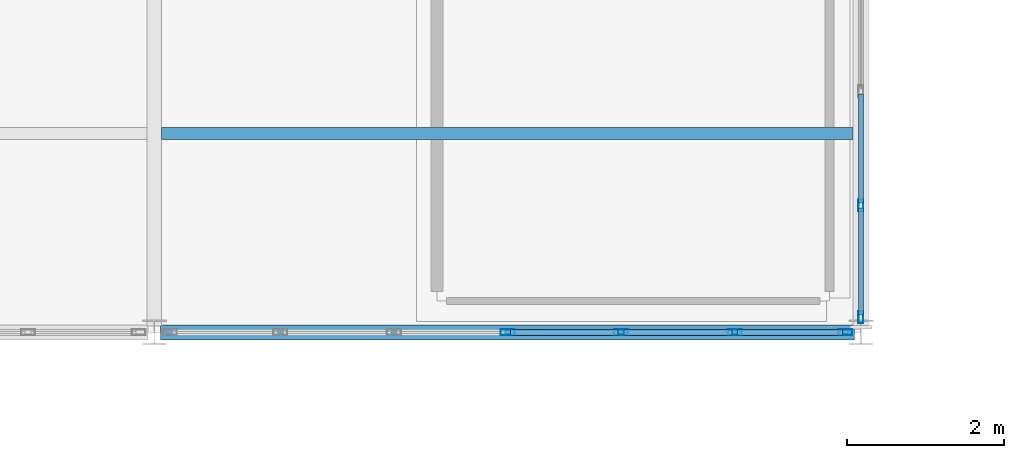
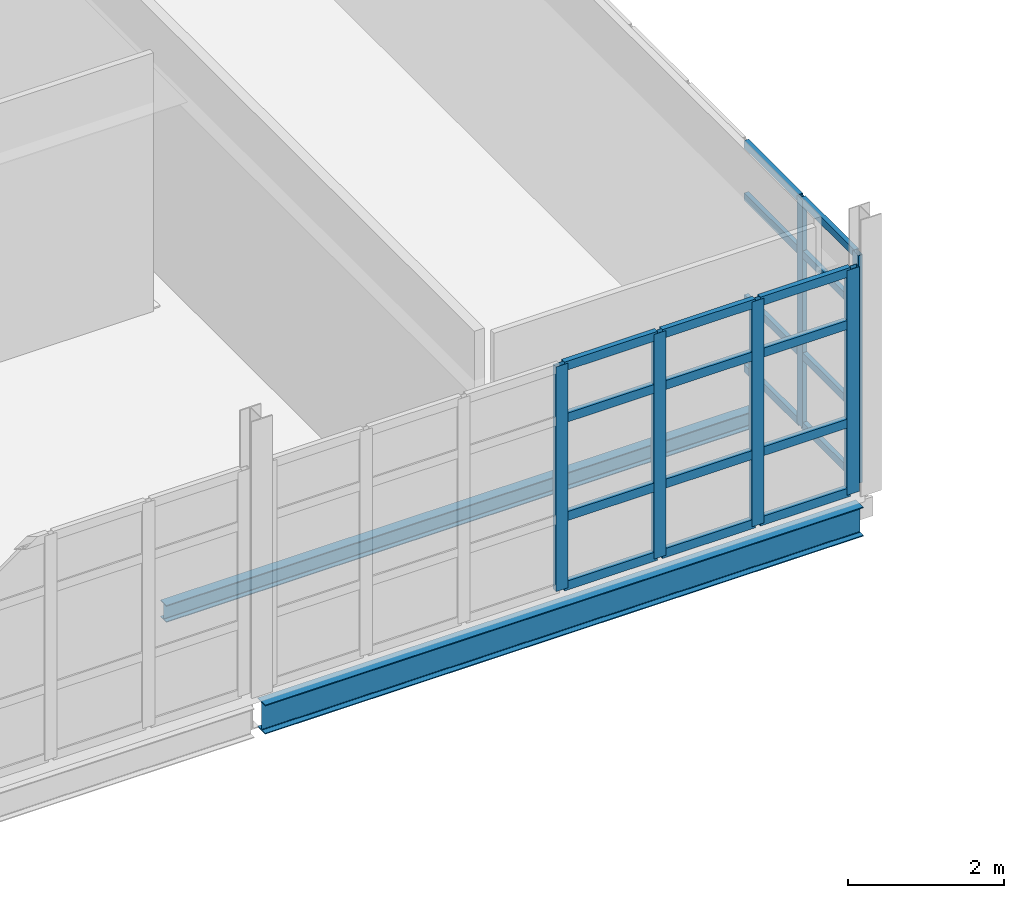
# One storey, part 111 of 166: 26 members, 2 beams, 2 elements without a shape of their own.
"""IFC4 building model written with IfcOpenShell, lengths in metres."""

from ifc_helpers import new_model, si_unit, direction, frame, origin, origin_2d, place, context, subcontext, project, spatial, hollow_rectangle, i_section, extrude, material, material_profile, profile_set, type_object, element, aggregate, save


model = new_model("IFC4")

# Units and contexts
model_context = context("Model", 3, precision=1e-05, world=origin(), true_north=direction((0.0, 1.0)))
body_context = subcontext(model_context, "Body", "Model", "MODEL_VIEW")
ifc_project = project(units=[si_unit("LENGTHUNIT", "METRE"), si_unit("AREAUNIT", "SQUARE_METRE"), si_unit("VOLUMEUNIT", "CUBIC_METRE"), si_unit("PLANEANGLEUNIT", "RADIAN"), si_unit("MASSUNIT", "GRAM", prefix="KILO")], contexts=[model_context])

# Site, building, storey
site_placement = place(None, origin())
site = spatial("IfcSite", under=ifc_project, at=site_placement, CompositionType="ELEMENT")
building_placement = place(site_placement, origin())
building = spatial("IfcBuilding", under=site, at=building_placement, Name="Caisbarro Railhouse Central Library", CompositionType="ELEMENT")
storey_placement = place(building_placement, frame((0.0, 0.0, 9.360107421875)))
storey = spatial("IfcBuildingStorey", under=building, at=storey_placement, Name="L02", CompositionType="ELEMENT", Elevation=9.360107421875)

# Beams
ifc_material_1 = material(Name="Steel ASTM A572 Grade 50", Category="steel")
ifc_material_profile_1 = material_profile(ifc_material_1, i_section(OverallWidth=0.14794921875, OverallDepth=0.26611328125, WebThickness=0.007568359375, FlangeThickness=0.012939453125, FilletRadius=0.010009765625, at=origin_2d()), Name="W250X44.8")
ifc_profile_set_1 = profile_set([ifc_material_profile_1], Name="Steel ASTM A572 Grade 50")
beam_type_1 = type_object("IfcBeamType", Name="BM-J04", PredefinedType="JOIST", material=ifc_profile_set_1)
beam_1_placement = place(storey_placement, frame((144.094970703125, 63.333251953125, -0.35302734375), z_axis=(1.0, 0.0, 0.0), x_axis=(0.0, 1.0, 0.0)))
element("IfcBeam", 1, at=beam_1_placement, inside=storey, type_object=beam_type_1, Name="J04 beam L02 #1569", PredefinedType="JOIST", context=body_context, shape_type="SweptSolid", body=[
    extrude(i_section(OverallWidth=0.14794921875, OverallDepth=0.26611328125, WebThickness=0.007568359375, FlangeThickness=0.012939453125, FilletRadius=0.010009765625, at=origin_2d()), origin(), (0.0, 0.0, 1.0), 8.804931640625),
])
ifc_material_profile_2 = material_profile(ifc_material_1, i_section(OverallWidth=0.18994140625, OverallDepth=0.45703125, WebThickness=0.009033203125, FlangeThickness=0.014404296875, FilletRadius=0.01806640625, at=origin_2d()), Name="W460X74.0")
ifc_profile_set_2 = profile_set([ifc_material_profile_2], Name="Steel ASTM A572 Grade 50")
beam_type_2 = type_object("IfcBeamType", Name="BM-SP01", PredefinedType="SPANDREL", material=ifc_profile_set_2)
beam_2_placement = place(storey_placement, frame((144.080078125, 60.800048828125, -0.448486328125), z_axis=(1.0, 0.0, 0.0), x_axis=(0.0, 1.0, 0.0)))
element("IfcBeam", 2, at=beam_2_placement, inside=storey, type_object=beam_type_2, Name="SP01 beam L02 #1479", PredefinedType="SPANDREL", context=body_context, shape_type="SweptSolid", body=[
    extrude(i_section(OverallWidth=0.18994140625, OverallDepth=0.45703125, WebThickness=0.009033203125, FlangeThickness=0.014404296875, FilletRadius=0.01806640625, at=origin_2d()), origin(), (0.0, 0.0, 1.0), 8.83984375),
])

# Curtain wall, members
ifc_material_2 = material(Name="Anodised architectural aluminium", Category="aluminium")
curtain_wall_type_1 = type_object("IfcCurtainWallType", Name="CW-CW02", PredefinedType="NOTDEFINED", material=ifc_material_2)
curtain_wall_1_placement = place(storey_placement, origin())
curtain_wall_1 = element("IfcCurtainWall", 3, at=curtain_wall_1_placement, inside=storey, type_object=curtain_wall_type_1, Name="CW02 curtain wall L02 #136", PredefinedType="NOTDEFINED")
ifc_material_profile_3 = material_profile(ifc_material_2, hollow_rectangle(XDim=0.074951171875, YDim=0.179931640625, WallThickness=0.00439453125, at=origin_2d()), Name="ALU-MUL-75X180")
ifc_profile_set_3 = profile_set([ifc_material_profile_3], Name="Anodised architectural aluminium")
member_type_1 = type_object("IfcMemberType", Name="CWM-M01", PredefinedType="MULLION", material=ifc_profile_set_3)
member_1_placement = place(storey_placement, frame((148.5, 60.800048828125, 0.0), z_axis=(0.0, 0.0, 1.0), x_axis=(0.0, 1.0, 0.0)))
member_1 = element("IfcMember", 4, at=member_1_placement, type_object=member_type_1, Name="CW02 mullion 4", PredefinedType="MULLION", context=body_context, shape_type="SweptSolid", body=[
    extrude(hollow_rectangle(XDim=0.074951171875, YDim=0.179931640625, WallThickness=0.00439453125, at=origin_2d()), origin(), (0.0, 0.0, 1.0), 3.510009765625),
])
member_2_placement = place(storey_placement, frame((149.94677734375, 60.800048828125, 0.0), z_axis=(0.0, 0.0, 1.0), x_axis=(0.0, 1.0, 0.0)))
member_2 = element("IfcMember", 5, at=member_2_placement, type_object=member_type_1, Name="CW02 mullion 5", PredefinedType="MULLION", context=body_context, shape_type="SweptSolid", body=[
    extrude(hollow_rectangle(XDim=0.074951171875, YDim=0.179931640625, WallThickness=0.00439453125, at=origin_2d()), origin(), (0.0, 0.0, 1.0), 3.510009765625),
])
member_3_placement = place(storey_placement, frame((151.393310546875, 60.800048828125, 0.0), z_axis=(0.0, 0.0, 1.0), x_axis=(0.0, 1.0, 0.0)))
member_3 = element("IfcMember", 6, at=member_3_placement, type_object=member_type_1, Name="CW02 mullion 6", PredefinedType="MULLION", context=body_context, shape_type="SweptSolid", body=[
    extrude(hollow_rectangle(XDim=0.074951171875, YDim=0.179931640625, WallThickness=0.00439453125, at=origin_2d()), origin(), (0.0, 0.0, 1.0), 3.510009765625),
])
member_4_placement = place(storey_placement, frame((152.802490234375, 60.800048828125, 0.0), z_axis=(0.0, 0.0, 1.0), x_axis=(0.0, 1.0, 0.0)))
member_4 = element("IfcMember", 7, at=member_4_placement, type_object=member_type_1, Name="CW02 mullion 7", PredefinedType="MULLION", context=body_context, shape_type="SweptSolid", body=[
    extrude(hollow_rectangle(XDim=0.074951171875, YDim=0.179931640625, WallThickness=0.00439453125, at=origin_2d()), origin(), (0.0, 0.0, 1.0), 3.510009765625),
])

curtain_wall_type_2 = type_object("IfcCurtainWallType", Name="CW-CW03", PredefinedType="NOTDEFINED", material=ifc_material_2)
curtain_wall_2_placement = place(storey_placement, origin())
curtain_wall_2 = element("IfcCurtainWall", 8, at=curtain_wall_2_placement, inside=storey, type_object=curtain_wall_type_2, Name="CW03 curtain wall L02 #137", PredefinedType="NOTDEFINED")
ifc_material_profile_4 = material_profile(ifc_material_2, hollow_rectangle(XDim=0.06494140625, YDim=0.14990234375, WallThickness=0.00390625, at=origin_2d()), Name="ALU-MUL-65X150")
ifc_profile_set_4 = profile_set([ifc_material_profile_4], Name="Anodised architectural aluminium")
member_type_2 = type_object("IfcMemberType", Name="CWM-M02", PredefinedType="MULLION", material=ifc_profile_set_4)
member_5_placement = place(storey_placement, frame((153.0, 60.992431640625, 0.0), z_axis=(0.0, 0.0, 1.0), x_axis=(-1.0, 0.0, 0.0)))
member_5 = element("IfcMember", 9, at=member_5_placement, type_object=member_type_2, Name="CW03 mullion 1", PredefinedType="MULLION", context=body_context, shape_type="SweptSolid", body=[
    extrude(hollow_rectangle(XDim=0.06494140625, YDim=0.14990234375, WallThickness=0.00390625, at=origin_2d()), origin(), (0.0, 0.0, 1.0), 3.559814453125),
])
member_6_placement = place(storey_placement, frame((153.0, 62.416015625, 0.0), z_axis=(0.0, 0.0, 1.0), x_axis=(-1.0, 0.0, 0.0)))
member_6 = element("IfcMember", 10, at=member_6_placement, type_object=member_type_2, Name="CW03 mullion 2", PredefinedType="MULLION", context=body_context, shape_type="SweptSolid", body=[
    extrude(hollow_rectangle(XDim=0.06494140625, YDim=0.14990234375, WallThickness=0.00390625, at=origin_2d()), origin(), (0.0, 0.0, 1.0), 3.559814453125),
])

# Member
ifc_material_profile_5 = material_profile(ifc_material_2, hollow_rectangle(XDim=0.074951171875, YDim=0.139892578125, WallThickness=0.00390625, at=origin_2d()), Name="ALU-TRN-75X140")
ifc_profile_set_5 = profile_set([ifc_material_profile_5], Name="Anodised architectural aluminium")
member_type_3 = type_object("IfcMemberType", Name="CWT-T01", PredefinedType="USERDEFINED", material=ifc_profile_set_5)
member_7_placement = place(storey_placement, frame((148.53759765625, 60.800048828125, 0.037353515625), z_axis=(1.0, 0.0, 0.0), x_axis=(0.0, 1.0, 0.0)))
member_7 = element("IfcMember", 11, at=member_7_placement, type_object=member_type_3, Name="CW02 transom 4.1", ObjectType="TRANSOM", PredefinedType="USERDEFINED", context=body_context, shape_type="SweptSolid", body=[
    extrude(hollow_rectangle(XDim=0.074951171875, YDim=0.139892578125, WallThickness=0.00390625, at=origin_2d()), origin(), (0.0, 0.0, 1.0), 1.37158203125),
])

member_8_placement = place(storey_placement, frame((148.53759765625, 60.800048828125, 1.119873046875), z_axis=(1.0, 0.0, 0.0), x_axis=(0.0, 1.0, 0.0)))
member_8 = element("IfcMember", 12, at=member_8_placement, type_object=member_type_3, Name="CW02 transom 4.2", ObjectType="TRANSOM", PredefinedType="USERDEFINED", context=body_context, shape_type="SweptSolid", body=[
    extrude(hollow_rectangle(XDim=0.074951171875, YDim=0.139892578125, WallThickness=0.00390625, at=origin_2d()), origin(), (0.0, 0.0, 1.0), 1.37158203125),
])

member_9_placement = place(storey_placement, frame((148.53759765625, 60.800048828125, 2.659912109375), z_axis=(1.0, 0.0, 0.0), x_axis=(0.0, 1.0, 0.0)))
member_9 = element("IfcMember", 13, at=member_9_placement, type_object=member_type_3, Name="CW02 transom 4.3", ObjectType="TRANSOM", PredefinedType="USERDEFINED", context=body_context, shape_type="SweptSolid", body=[
    extrude(hollow_rectangle(XDim=0.074951171875, YDim=0.139892578125, WallThickness=0.00390625, at=origin_2d()), origin(), (0.0, 0.0, 1.0), 1.37158203125),
])

member_10_placement = place(storey_placement, frame((148.53759765625, 60.800048828125, 3.472412109375), z_axis=(1.0, 0.0, 0.0), x_axis=(0.0, 1.0, 0.0)))
member_10 = element("IfcMember", 14, at=member_10_placement, type_object=member_type_3, Name="CW02 transom 4.4", ObjectType="TRANSOM", PredefinedType="USERDEFINED", context=body_context, shape_type="SweptSolid", body=[
    extrude(hollow_rectangle(XDim=0.074951171875, YDim=0.139892578125, WallThickness=0.00390625, at=origin_2d()), origin(), (0.0, 0.0, 1.0), 1.37158203125),
])

member_11_placement = place(storey_placement, frame((149.984130859375, 60.800048828125, 0.037353515625), z_axis=(1.0, 0.0, 0.0), x_axis=(0.0, 1.0, 0.0)))
member_11 = element("IfcMember", 15, at=member_11_placement, type_object=member_type_3, Name="CW02 transom 5.1", ObjectType="TRANSOM", PredefinedType="USERDEFINED", context=body_context, shape_type="SweptSolid", body=[
    extrude(hollow_rectangle(XDim=0.074951171875, YDim=0.139892578125, WallThickness=0.00390625, at=origin_2d()), origin(), (0.0, 0.0, 1.0), 1.37158203125),
])

member_12_placement = place(storey_placement, frame((149.984130859375, 60.800048828125, 1.119873046875), z_axis=(1.0, 0.0, 0.0), x_axis=(0.0, 1.0, 0.0)))
member_12 = element("IfcMember", 16, at=member_12_placement, type_object=member_type_3, Name="CW02 transom 5.2", ObjectType="TRANSOM", PredefinedType="USERDEFINED", context=body_context, shape_type="SweptSolid", body=[
    extrude(hollow_rectangle(XDim=0.074951171875, YDim=0.139892578125, WallThickness=0.00390625, at=origin_2d()), origin(), (0.0, 0.0, 1.0), 1.37158203125),
])

member_13_placement = place(storey_placement, frame((149.984130859375, 60.800048828125, 2.659912109375), z_axis=(1.0, 0.0, 0.0), x_axis=(0.0, 1.0, 0.0)))
member_13 = element("IfcMember", 17, at=member_13_placement, type_object=member_type_3, Name="CW02 transom 5.3", ObjectType="TRANSOM", PredefinedType="USERDEFINED", context=body_context, shape_type="SweptSolid", body=[
    extrude(hollow_rectangle(XDim=0.074951171875, YDim=0.139892578125, WallThickness=0.00390625, at=origin_2d()), origin(), (0.0, 0.0, 1.0), 1.37158203125),
])

member_14_placement = place(storey_placement, frame((149.984130859375, 60.800048828125, 3.472412109375), z_axis=(1.0, 0.0, 0.0), x_axis=(0.0, 1.0, 0.0)))
member_14 = element("IfcMember", 18, at=member_14_placement, type_object=member_type_3, Name="CW02 transom 5.4", ObjectType="TRANSOM", PredefinedType="USERDEFINED", context=body_context, shape_type="SweptSolid", body=[
    extrude(hollow_rectangle(XDim=0.074951171875, YDim=0.139892578125, WallThickness=0.00390625, at=origin_2d()), origin(), (0.0, 0.0, 1.0), 1.37158203125),
])

member_15_placement = place(storey_placement, frame((151.430908203125, 60.800048828125, 0.037353515625), z_axis=(1.0, 0.0, 0.0), x_axis=(0.0, 1.0, 0.0)))
member_15 = element("IfcMember", 19, at=member_15_placement, type_object=member_type_3, Name="CW02 transom 6.1", ObjectType="TRANSOM", PredefinedType="USERDEFINED", context=body_context, shape_type="SweptSolid", body=[
    extrude(hollow_rectangle(XDim=0.074951171875, YDim=0.139892578125, WallThickness=0.00390625, at=origin_2d()), origin(), (0.0, 0.0, 1.0), 1.333984375),
])

member_16_placement = place(storey_placement, frame((151.430908203125, 60.800048828125, 1.119873046875), z_axis=(1.0, 0.0, 0.0), x_axis=(0.0, 1.0, 0.0)))
member_16 = element("IfcMember", 20, at=member_16_placement, type_object=member_type_3, Name="CW02 transom 6.2", ObjectType="TRANSOM", PredefinedType="USERDEFINED", context=body_context, shape_type="SweptSolid", body=[
    extrude(hollow_rectangle(XDim=0.074951171875, YDim=0.139892578125, WallThickness=0.00390625, at=origin_2d()), origin(), (0.0, 0.0, 1.0), 1.333984375),
])

member_17_placement = place(storey_placement, frame((151.430908203125, 60.800048828125, 2.659912109375), z_axis=(1.0, 0.0, 0.0), x_axis=(0.0, 1.0, 0.0)))
member_17 = element("IfcMember", 21, at=member_17_placement, type_object=member_type_3, Name="CW02 transom 6.3", ObjectType="TRANSOM", PredefinedType="USERDEFINED", context=body_context, shape_type="SweptSolid", body=[
    extrude(hollow_rectangle(XDim=0.074951171875, YDim=0.139892578125, WallThickness=0.00390625, at=origin_2d()), origin(), (0.0, 0.0, 1.0), 1.333984375),
])

member_18_placement = place(storey_placement, frame((151.430908203125, 60.800048828125, 3.472412109375), z_axis=(1.0, 0.0, 0.0), x_axis=(0.0, 1.0, 0.0)))
member_18 = element("IfcMember", 22, at=member_18_placement, type_object=member_type_3, Name="CW02 transom 6.4", ObjectType="TRANSOM", PredefinedType="USERDEFINED", context=body_context, shape_type="SweptSolid", body=[
    extrude(hollow_rectangle(XDim=0.074951171875, YDim=0.139892578125, WallThickness=0.00390625, at=origin_2d()), origin(), (0.0, 0.0, 1.0), 1.333984375),
])

aggregate(curtain_wall_1, [member_1, member_2, member_3, member_4, member_7, member_8, member_9, member_10, member_11, member_12, member_13, member_14, member_15, member_16, member_17, member_18])

ifc_material_profile_6 = material_profile(ifc_material_2, hollow_rectangle(XDim=0.06494140625, YDim=0.1201171875, WallThickness=0.00341796875, at=origin_2d()), Name="ALU-TRN-65X120")
ifc_profile_set_6 = profile_set([ifc_material_profile_6], Name="Anodised architectural aluminium")
member_type_4 = type_object("IfcMemberType", Name="CWT-T02", PredefinedType="USERDEFINED", material=ifc_profile_set_6)
member_19_placement = place(storey_placement, frame((153.0, 61.02490234375, 0.032470703125), z_axis=(0.0, 1.0, 0.0), x_axis=(-1.0, 0.0, 0.0)))
member_19 = element("IfcMember", 23, at=member_19_placement, type_object=member_type_4, Name="CW03 transom 1.1", ObjectType="TRANSOM", PredefinedType="USERDEFINED", context=body_context, shape_type="SweptSolid", body=[
    extrude(hollow_rectangle(XDim=0.06494140625, YDim=0.1201171875, WallThickness=0.00341796875, at=origin_2d()), origin(), (0.0, 0.0, 1.0), 1.358642578125),
])

member_20_placement = place(storey_placement, frame((153.0, 61.02490234375, 1.119873046875), z_axis=(0.0, 1.0, 0.0), x_axis=(-1.0, 0.0, 0.0)))
member_20 = element("IfcMember", 24, at=member_20_placement, type_object=member_type_4, Name="CW03 transom 1.2", ObjectType="TRANSOM", PredefinedType="USERDEFINED", context=body_context, shape_type="SweptSolid", body=[
    extrude(hollow_rectangle(XDim=0.06494140625, YDim=0.1201171875, WallThickness=0.00341796875, at=origin_2d()), origin(), (0.0, 0.0, 1.0), 1.358642578125),
])

member_21_placement = place(storey_placement, frame((153.0, 61.02490234375, 2.7099609375), z_axis=(0.0, 1.0, 0.0), x_axis=(-1.0, 0.0, 0.0)))
member_21 = element("IfcMember", 25, at=member_21_placement, type_object=member_type_4, Name="CW03 transom 1.3", ObjectType="TRANSOM", PredefinedType="USERDEFINED", context=body_context, shape_type="SweptSolid", body=[
    extrude(hollow_rectangle(XDim=0.06494140625, YDim=0.1201171875, WallThickness=0.00341796875, at=origin_2d()), origin(), (0.0, 0.0, 1.0), 1.358642578125),
])

member_22_placement = place(storey_placement, frame((153.0, 61.02490234375, 3.52734375), z_axis=(0.0, 1.0, 0.0), x_axis=(-1.0, 0.0, 0.0)))
member_22 = element("IfcMember", 26, at=member_22_placement, type_object=member_type_4, Name="CW03 transom 1.4", ObjectType="TRANSOM", PredefinedType="USERDEFINED", context=body_context, shape_type="SweptSolid", body=[
    extrude(hollow_rectangle(XDim=0.06494140625, YDim=0.1201171875, WallThickness=0.00341796875, at=origin_2d()), origin(), (0.0, 0.0, 1.0), 1.358642578125),
])

member_23_placement = place(storey_placement, frame((153.0, 62.448486328125, 0.032470703125), z_axis=(0.0, 1.0, 0.0), x_axis=(-1.0, 0.0, 0.0)))
member_23 = element("IfcMember", 27, at=member_23_placement, type_object=member_type_4, Name="CW03 transom 2.1", ObjectType="TRANSOM", PredefinedType="USERDEFINED", context=body_context, shape_type="SweptSolid", body=[
    extrude(hollow_rectangle(XDim=0.06494140625, YDim=0.1201171875, WallThickness=0.00341796875, at=origin_2d()), origin(), (0.0, 0.0, 1.0), 1.39111328125),
])

member_24_placement = place(storey_placement, frame((153.0, 62.448486328125, 1.119873046875), z_axis=(0.0, 1.0, 0.0), x_axis=(-1.0, 0.0, 0.0)))
member_24 = element("IfcMember", 28, at=member_24_placement, type_object=member_type_4, Name="CW03 transom 2.2", ObjectType="TRANSOM", PredefinedType="USERDEFINED", context=body_context, shape_type="SweptSolid", body=[
    extrude(hollow_rectangle(XDim=0.06494140625, YDim=0.1201171875, WallThickness=0.00341796875, at=origin_2d()), origin(), (0.0, 0.0, 1.0), 1.39111328125),
])

member_25_placement = place(storey_placement, frame((153.0, 62.448486328125, 2.7099609375), z_axis=(0.0, 1.0, 0.0), x_axis=(-1.0, 0.0, 0.0)))
member_25 = element("IfcMember", 29, at=member_25_placement, type_object=member_type_4, Name="CW03 transom 2.3", ObjectType="TRANSOM", PredefinedType="USERDEFINED", context=body_context, shape_type="SweptSolid", body=[
    extrude(hollow_rectangle(XDim=0.06494140625, YDim=0.1201171875, WallThickness=0.00341796875, at=origin_2d()), origin(), (0.0, 0.0, 1.0), 1.39111328125),
])

member_26_placement = place(storey_placement, frame((153.0, 62.448486328125, 3.52734375), z_axis=(0.0, 1.0, 0.0), x_axis=(-1.0, 0.0, 0.0)))
member_26 = element("IfcMember", 30, at=member_26_placement, type_object=member_type_4, Name="CW03 transom 2.4", ObjectType="TRANSOM", PredefinedType="USERDEFINED", context=body_context, shape_type="SweptSolid", body=[
    extrude(hollow_rectangle(XDim=0.06494140625, YDim=0.1201171875, WallThickness=0.00341796875, at=origin_2d()), origin(), (0.0, 0.0, 1.0), 1.39111328125),
])

aggregate(curtain_wall_2, [member_5, member_6, member_19, member_20, member_21, member_22, member_23, member_24, member_25, member_26])

save(model, "model.ifc")
